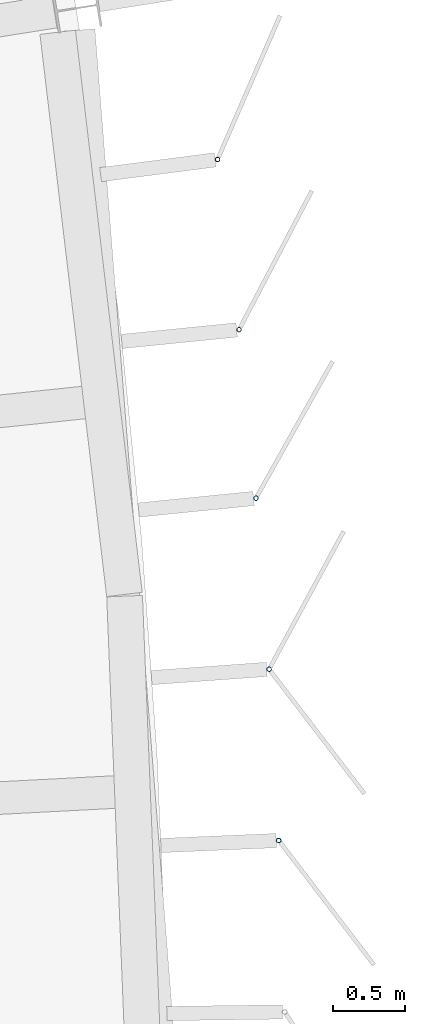
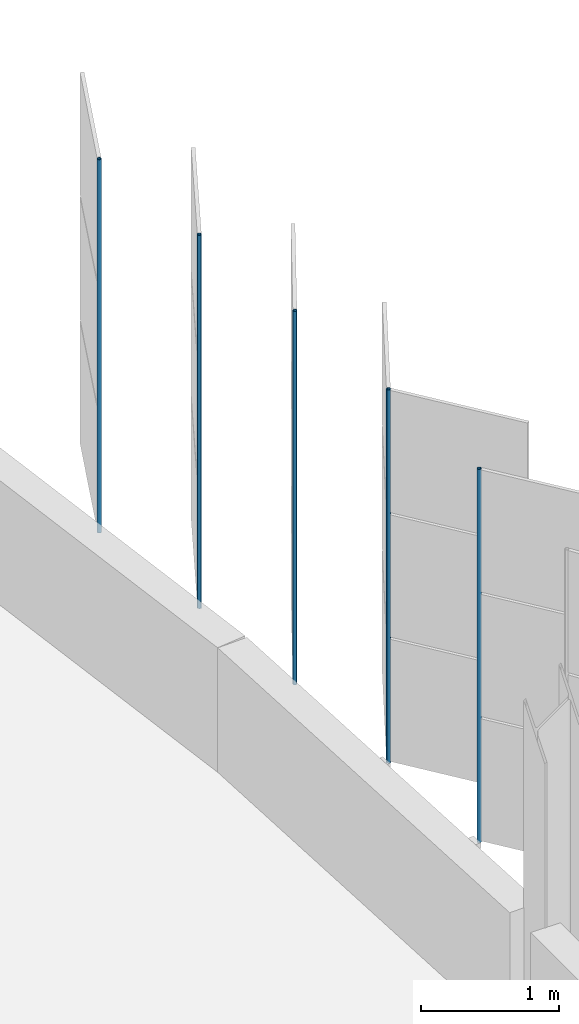
# One storey, part 136 of 214: 5 discrete accessories.
"""IFC4 building model written with IfcOpenShell, lengths in metres."""

import ifcopenshell
import ifcopenshell.guid

model = None  # the IFC model being written
_history = None  # IfcOwnerHistory: only IFC2X3 demands one
_inside = {}  # id of a spatial element -> (the spatial element, [elements in it])
_under = {}  # id of a project, library or spatial element -> (it, [spatial elements below it])
_declared = {}  # id of a project -> (the project, [libraries it declares])
_typed = {}  # id of a type object -> (the type object, [elements of that type])
_made_of = {}  # id of a material, layer set ... -> (it, [elements and type objects made of it])


def new_model(schema):
    """Start an empty IFC model of exactly this schema.

    Asked for "IFC4X3", IfcOpenShell would pick the latest addendum, in which some entities
    have other attributes; the version numbers below select the first issue.
    IFC2X3 requires an IfcOwnerHistory on every rooted entity: one is made here for all.
    """
    global model, _history
    if schema == "IFC4X3":
        model = ifcopenshell.file(schema_version=(4, 3, 0, 0))
    else:
        model = ifcopenshell.file(schema=schema)
    _inside.clear()
    _under.clear()
    _declared.clear()
    _typed.clear()
    _made_of.clear()
    _history = None
    if model.schema == "IFC2X3":
        org = make("IfcOrganization", Name="unknown")
        user = make(
            "IfcPersonAndOrganization",
            ThePerson=make("IfcPerson", FamilyName="unknown"),
            TheOrganization=org,
        )
        app = make(
            "IfcApplication",
            ApplicationDeveloper=org,
            Version="unknown",
            ApplicationFullName="unknown",
            ApplicationIdentifier="unknown",
        )
        _history = make(
            "IfcOwnerHistory",
            OwningUser=user,
            OwningApplication=app,
            ChangeAction="ADDED",
            CreationDate=0,
        )
    return model


def make(cls, **values):
    """One entity of the class cls with the attributes given. An attribute that is None is left unset."""
    return model.create_entity(
        cls, **{name: value for name, value in values.items() if value is not None}
    )


def rooted(cls, **values):
    """An entity with a GlobalId (a new one), such as an element, a storey or a relation."""
    return make(cls, GlobalId=ifcopenshell.guid.new(), OwnerHistory=_history, **values)


def si_unit(unit_type, name, prefix=None):
    """IfcSIUnit, for example si_unit("LENGTHUNIT", "METRE", prefix="MILLI")."""
    return make("IfcSIUnit", UnitType=unit_type, Prefix=prefix, Name=name)


def assignment(units):
    """IfcUnitAssignment: the units of a project."""
    return None if units is None else make("IfcUnitAssignment", Units=units)


def point(xyz):
    """IfcCartesianPoint."""
    return None if xyz is None else make("IfcCartesianPoint", Coordinates=xyz)


def direction(xyz):
    """IfcDirection."""
    return None if xyz is None else make("IfcDirection", DirectionRatios=xyz)


def frame(location, z_axis=None, x_axis=None):
    """IfcAxis2Placement3D, a coordinate frame: its origin and axes. An axis left out is left unset."""
    return make(
        "IfcAxis2Placement3D",
        Location=point(location),
        Axis=direction(z_axis),
        RefDirection=direction(x_axis),
    )


def frame_2d(location, x_axis=None):
    """IfcAxis2Placement2D, a coordinate frame in the plane: its origin and x axis."""
    return make(
        "IfcAxis2Placement2D", Location=point(location), RefDirection=direction(x_axis)
    )


def origin():
    """The frame at (0, 0, 0) with its axes left unset."""
    return frame((0.0, 0.0, 0.0))


def origin_2d():
    """The frame at (0, 0) in the plane with its x axis left unset."""
    return frame_2d((0.0, 0.0))


def place(relative_to, where):
    """IfcLocalPlacement: puts the frame where relative to a parent placement (None: the world)."""
    return make(
        "IfcLocalPlacement", PlacementRelTo=relative_to, RelativePlacement=where
    )


def context(
    kind, dimensions, precision=None, world=None, true_north=None, identifier=None
):
    """IfcGeometricRepresentationContext, for example the 3D "Model" context."""
    return make(
        "IfcGeometricRepresentationContext",
        ContextIdentifier=identifier,
        ContextType=kind,
        CoordinateSpaceDimension=dimensions,
        Precision=precision,
        WorldCoordinateSystem=world,
        TrueNorth=true_north,
    )


def subcontext(parent, identifier, kind, view, scale=None):
    """IfcGeometricRepresentationSubContext, for example "Body" below "Model"."""
    return make(
        "IfcGeometricRepresentationSubContext",
        ContextIdentifier=identifier,
        ContextType=kind,
        ParentContext=parent,
        TargetScale=scale,
        TargetView=view,
    )


def project(units=None, contexts=None):
    """IfcProject with its units and contexts."""
    return rooted(
        "IfcProject",
        Name="project",
        RepresentationContexts=contexts,
        UnitsInContext=assignment(units),
    )


def spatial(cls, under=None, at=None, **own):
    """A site, building, storey or space (cls), placed at a placement, below another one or the project."""
    s = rooted(cls, ObjectPlacement=at, **own)
    if under is not None:
        _under.setdefault(under.id(), (under, []))[1].append(s)
    return s


def profile(cls, at=None, kind="AREA", **sizes):
    """A parametric profile (cls). Its sizes go by their IFC names, for example OverallWidth=200.0."""
    return make(cls, ProfileType=kind, Position=at, **sizes)


def hollow_circle(**sizes):
    """IfcCircleHollowProfileDef."""
    return profile("IfcCircleHollowProfileDef", **sizes)


def extrude(swept, where, along, depth):
    """IfcExtrudedAreaSolid: the profile swept, set in the frame where, extruded along a direction by depth."""
    return make(
        "IfcExtrudedAreaSolid",
        SweptArea=swept,
        Position=where,
        ExtrudedDirection=direction(along),
        Depth=depth,
    )


def shape(context_of_items, identifier, shape_type, items):
    """IfcShapeRepresentation: the items that make up one representation, for example the "Body"."""
    return make(
        "IfcShapeRepresentation",
        ContextOfItems=context_of_items,
        RepresentationIdentifier=identifier,
        RepresentationType=shape_type,
        Items=items,
    )


def material(Name=None, Category=None):
    """IfcMaterial."""
    return make("IfcMaterial", Name=Name, Category=Category)


def material_profile(
    of_material, cross_section, Name=None, Category=None, Priority=None
):
    """IfcMaterialProfile: a cross section and its material."""
    return make(
        "IfcMaterialProfile",
        Name=Name,
        Material=of_material,
        Profile=cross_section,
        Priority=Priority,
        Category=Category,
    )


def profile_set(profiles, Name=None, composite=None):
    """IfcMaterialProfileSet."""
    return make(
        "IfcMaterialProfileSet",
        Name=Name,
        MaterialProfiles=profiles,
        CompositeProfile=composite,
    )


def made_of(thing, what):
    """Note that an element or type object is made of a material, layer set ...; save() writes the relation."""
    if what is not None:
        _made_of.setdefault(what.id(), (what, []))[1].append(thing)
    return thing


def type_object(cls, material=None, **own):
    """A type object (cls), such as IfcWallType, which elements share."""
    return made_of(rooted(cls, **own), material)


def element(
    cls,
    number,
    at=None,
    inside=None,
    cuts=None,
    type_object=None,
    material=None,
    context=None,
    identifier="Body",
    shape_type=None,
    held_by="IfcProductDefinitionShape",
    body=None,
    shapes=None,
    **own,
):
    """One element of the class cls, such as IfcWall. Its Tag is "e" and its number.

    at: its placement. inside: the storey or other place that contains it. cuts: it is an
    opening in that element (IfcRelVoidsElement). A single representation is given by context,
    identifier, shape_type and body (its items); several are given by shapes. held_by: the class
    of the entity that holds the representations. save() writes the other relations.
    """
    e = rooted(cls, Tag="e%d" % number, ObjectPlacement=at, **own)
    if body is not None:
        shapes = [shape(context, identifier, shape_type, body)]
    if shapes is not None:
        e.Representation = make(held_by, Representations=shapes)
    if inside is not None:
        _inside.setdefault(inside.id(), (inside, []))[1].append(e)
    if cuts is not None:
        rooted(
            "IfcRelVoidsElement", RelatingBuildingElement=cuts, RelatedOpeningElement=e
        )
    if type_object is not None:
        _typed.setdefault(type_object.id(), (type_object, []))[1].append(e)
    return made_of(e, material)


def aggregate(whole, parts):
    """IfcRelAggregates: a whole, such as a stair, and the parts it consists of."""
    return rooted("IfcRelAggregates", RelatingObject=whole, RelatedObjects=parts)


def save(model, path):
    """Write the relations noted so far, then the file.

    IfcRelAggregates (storeys below a building ...), IfcRelContainedInSpatialStructure (elements
    in a storey), IfcRelDefinesByType, IfcRelAssociatesMaterial and IfcRelDeclares: one each for
    every whole, place, type object, material and project.
    """
    for whole, parts in _under.values():
        aggregate(whole, parts)
    for where, things in _inside.values():
        rooted(
            "IfcRelContainedInSpatialStructure",
            RelatedElements=things,
            RelatingStructure=where,
        )
    for kind, things in _typed.values():
        rooted("IfcRelDefinesByType", RelatedObjects=things, RelatingType=kind)
    for what, things in _made_of.values():
        rooted("IfcRelAssociatesMaterial", RelatedObjects=things, RelatingMaterial=what)
    for by, libraries in _declared.values():
        rooted("IfcRelDeclares", RelatingContext=by, RelatedDefinitions=libraries)
    model.write(path)


model = new_model("IFC4")

# Units and contexts
model_context = context("Model", 3, precision=1e-05, world=origin(), true_north=direction((0.0, 1.0)))
body_context = subcontext(model_context, "Body", "Model", "MODEL_VIEW")
ifc_project = project(units=[si_unit("LENGTHUNIT", "METRE"), si_unit("AREAUNIT", "SQUARE_METRE"), si_unit("VOLUMEUNIT", "CUBIC_METRE"), si_unit("PLANEANGLEUNIT", "RADIAN"), si_unit("MASSUNIT", "GRAM", prefix="KILO")], contexts=[model_context])

# Site, building, storey
site_placement = place(None, origin())
site = spatial("IfcSite", under=ifc_project, at=site_placement, CompositionType="ELEMENT")
building_placement = place(site_placement, origin())
building = spatial("IfcBuilding", under=site, at=building_placement, Name="Parallax Yard Mobility Hub", CompositionType="ELEMENT")
storey_placement = place(building_placement, frame((0.0, 0.0, 3.300048828125)))
storey = spatial("IfcBuildingStorey", under=building, at=storey_placement, Name="L01", CompositionType="ELEMENT", Elevation=3.300048828125)

# Discrete accessories
ifc_material = material(Name="Steel ASTM A500 Gr C, hot-dip galvanised", Category="steel")
ifc_material_profile = material_profile(ifc_material, hollow_circle(Radius=0.016845703125, WallThickness=0.003173828125, at=origin_2d()), Name="CHS 33.7x3.2")
ifc_profile_set = profile_set([ifc_material_profile], Name="Steel ASTM A500 Gr C, hot-dip galvanised")
discrete_accessory_type = type_object("IfcDiscreteAccessoryType", Name="Hinge post CHS 33.7x3.2", PredefinedType="BRACKET", material=ifc_profile_set)
for number, where, z_axis, x_axis, name in (
    (1, (225.764892578125, 92.392822265625, 0.0), (0.0, 0.0, 1.0), (1.0, 0.0, 0.0), "Hinge post bay 41.3 level L01"),
    (2, (225.697998046875, 93.590087890625, 0.0), (0.0, 0.0, 1.0), (1.0, 0.0, 0.0), "Hinge post bay 41.4 level L01"),
    (3, (225.60595703125, 94.785888671875, 0.0), (0.0, 0.0, 1.0), (1.0, 0.0, 0.0), "Hinge post bay 41.5 level L01"),
    (4, (225.48779296875, 95.964599609375, 0.0), (0.0, 0.0, 1.0), (1.0, 0.0, 0.0), "Hinge post bay 41.6 level L01"),
    (5, (225.33740234375, 97.154296875, 0.0), (0.0, 0.0, 1.0), (1.0, 0.0, 0.0), "Hinge post bay 41.7 level L01"),
):
    element("IfcDiscreteAccessory", number, at=place(storey_placement, frame(where, z_axis=z_axis, x_axis=x_axis)), inside=storey, type_object=discrete_accessory_type, Name=name, PredefinedType="BRACKET", context=body_context, shape_type="SweptSolid", body=[
        extrude(hollow_circle(Radius=0.016845703125, WallThickness=0.003173828125, at=origin_2d()), origin(), (0.0, 0.0, 1.0), 3.300048828125),
    ])

save(model, "model.ifc")
